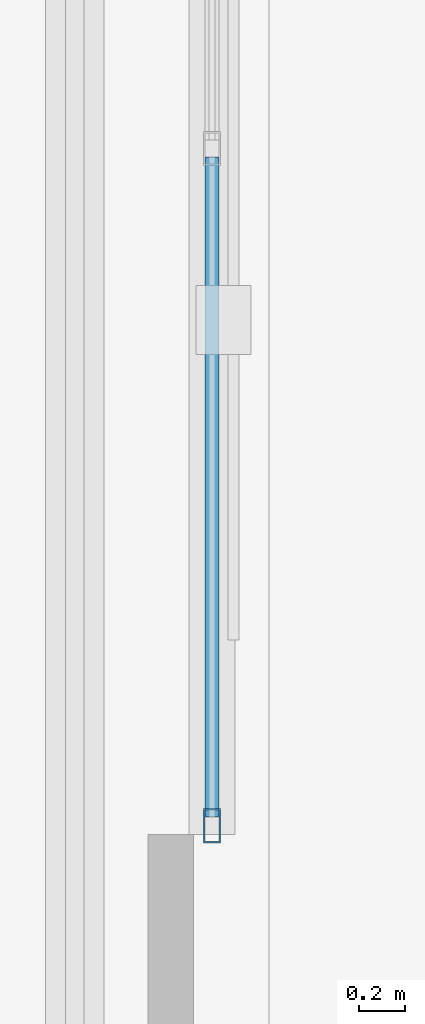
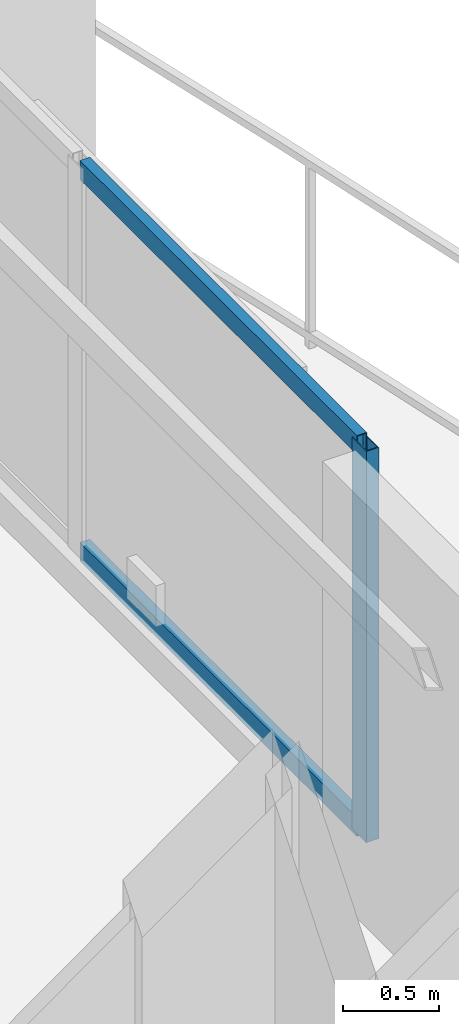
# One storey, part 6 of 22: 3 members, 1 element without a shape of its own.
"""IFC4 building model written with IfcOpenShell, lengths in metres."""

from ifc_helpers import new_model, si_unit, direction, frame, origin, origin_2d, place, context, subcontext, project, spatial, hollow_rectangle, extrude, material, layer, layer_set, material_profile, profile_set, type_object, element, aggregate, save


model = new_model("IFC4")

# Units and contexts
model_context = context("Model", 3, precision=1e-05, world=origin(), true_north=direction((0.0, 1.0)))
body_context = subcontext(model_context, "Body", "Model", "MODEL_VIEW")
ifc_project = project(units=[si_unit("LENGTHUNIT", "METRE"), si_unit("AREAUNIT", "SQUARE_METRE"), si_unit("VOLUMEUNIT", "CUBIC_METRE"), si_unit("PLANEANGLEUNIT", "RADIAN"), si_unit("MASSUNIT", "GRAM", prefix="KILO")], contexts=[model_context])

# Site, building, storey
site_placement = place(None, origin())
site = spatial("IfcSite", under=ifc_project, at=site_placement, CompositionType="ELEMENT")
building_placement = place(site_placement, origin())
building = spatial("IfcBuilding", under=site, at=building_placement, Name="Mersakhor Tower and Convention Hall", CompositionType="ELEMENT")
storey_placement = place(building_placement, frame((0.0, 0.0, 195.300048828125)))
storey = spatial("IfcBuildingStorey", under=building, at=storey_placement, Name="L54", CompositionType="ELEMENT", Elevation=195.300048828125)

# Curtain wall, members
ifc_material_1 = material(Name="Dark solar low-E aluminium curtain wall", Category="aluminium")
ifc_layer = layer(ifc_material_1, 0.169921875)
ifc_layer_set = layer_set([ifc_layer], Name="Dark solar low-E aluminium curtain wall")
curtain_wall_type = type_object("IfcCurtainWallType", Name="CW-SYS-02", PredefinedType="USERDEFINED", material=ifc_layer_set)
curtain_wall_placement = place(storey_placement, origin())
curtain_wall = element("IfcCurtainWall", 1, at=curtain_wall_placement, inside=storey, type_object=curtain_wall_type, Name="L54 Dark-Glass Curtain Wall F2-B2", ObjectType="CURTAIN WALL", PredefinedType="USERDEFINED")
ifc_material_2 = material(Name="Anodised aluminium EN AW-6063 T6", Category="aluminium")
ifc_material_profile_1 = material_profile(ifc_material_2, hollow_rectangle(XDim=0.074951171875, YDim=0.14990234375, WallThickness=0.00634765625, at=origin_2d()), Name="RHS 150x75x6.3")
ifc_profile_set_1 = profile_set([ifc_material_profile_1], Name="Anodised aluminium EN AW-6063 T6")
member_type_1 = type_object("IfcMemberType", Name="CWM-150x75", PredefinedType="MULLION", material=ifc_profile_set_1)
member_1_placement = place(storey_placement, frame((40.58837890625, 22.2880859375, 0.199951171875), z_axis=(0.0, 0.0, 1.0), x_axis=(1.0, 0.0, 0.0)))
member_1 = element("IfcMember", 2, at=member_1_placement, type_object=member_type_1, Name="CW-02 mullion 4", PredefinedType="MULLION", context=body_context, shape_type="SweptSolid", body=[
    extrude(hollow_rectangle(XDim=0.074951171875, YDim=0.14990234375, WallThickness=0.00634765625, at=origin_2d()), origin(), (0.0, 0.0, 1.0), 2.489990234375),
])
ifc_material_3 = material(Name="Anodised aluminium EN AW-6063 T6", Category="aluminium")
ifc_material_profile_2 = material_profile(ifc_material_3, hollow_rectangle(XDim=0.06005859375, YDim=0.1201171875, WallThickness=0.0048828125, at=origin_2d()), Name="RHS 120x60x5")
ifc_profile_set_2 = profile_set([ifc_material_profile_2], Name="Anodised aluminium EN AW-6063 T6")
member_type_2 = type_object("IfcMemberType", Name="CWT-120x60", PredefinedType="USERDEFINED", material=ifc_profile_set_2)
member_2_placement = place(storey_placement, frame((40.58837890625, 25.212646484375, 0.22998046875), z_axis=(0.0, -1.0, 0.0), x_axis=(1.0, 0.0, 0.0)))
member_2 = element("IfcMember", 3, at=member_2_placement, type_object=member_type_2, Name="CW-02 transom 3.1", ObjectType="TRANSOM", PredefinedType="USERDEFINED", context=body_context, shape_type="SweptSolid", body=[
    extrude(hollow_rectangle(XDim=0.06005859375, YDim=0.1201171875, WallThickness=0.0048828125, at=origin_2d()), origin(), (0.0, 0.0, 1.0), 2.88720703125),
])
member_3_placement = place(storey_placement, frame((40.58837890625, 25.212646484375, 2.659912109375), z_axis=(0.0, -1.0, 0.0), x_axis=(1.0, 0.0, 0.0)))
member_3 = element("IfcMember", 4, at=member_3_placement, type_object=member_type_2, Name="CW-02 transom 3.2", ObjectType="TRANSOM", PredefinedType="USERDEFINED", context=body_context, shape_type="SweptSolid", body=[
    extrude(hollow_rectangle(XDim=0.06005859375, YDim=0.1201171875, WallThickness=0.0048828125, at=origin_2d()), origin(), (0.0, 0.0, 1.0), 2.88720703125),
])
aggregate(curtain_wall, [member_1, member_2, member_3])

save(model, "model.ifc")
